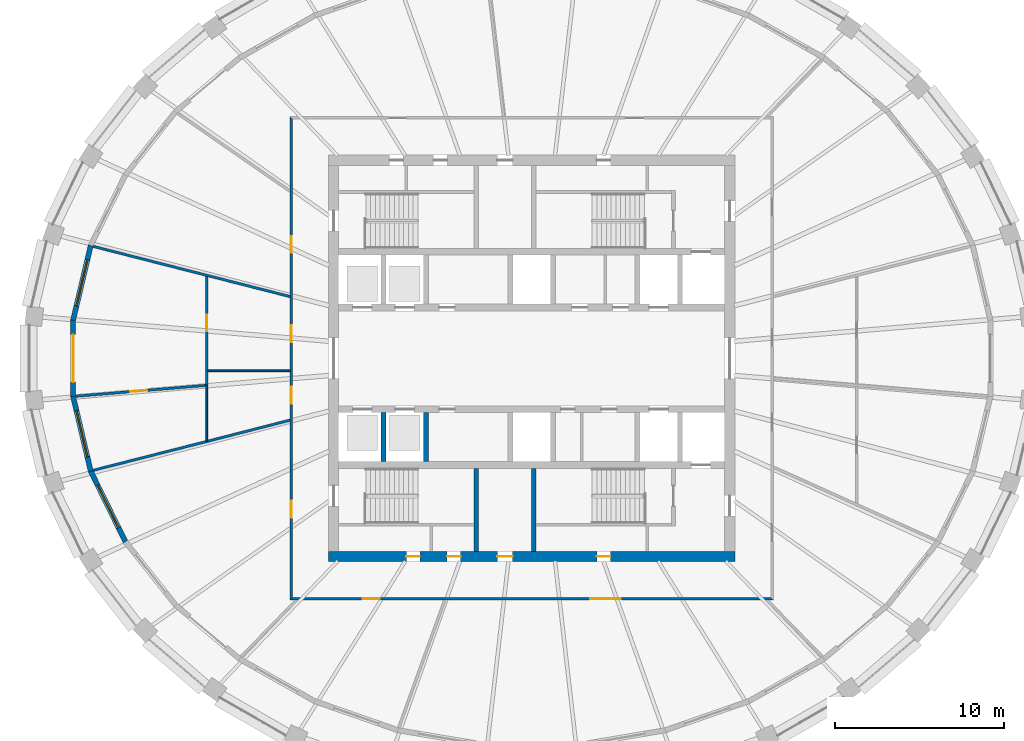
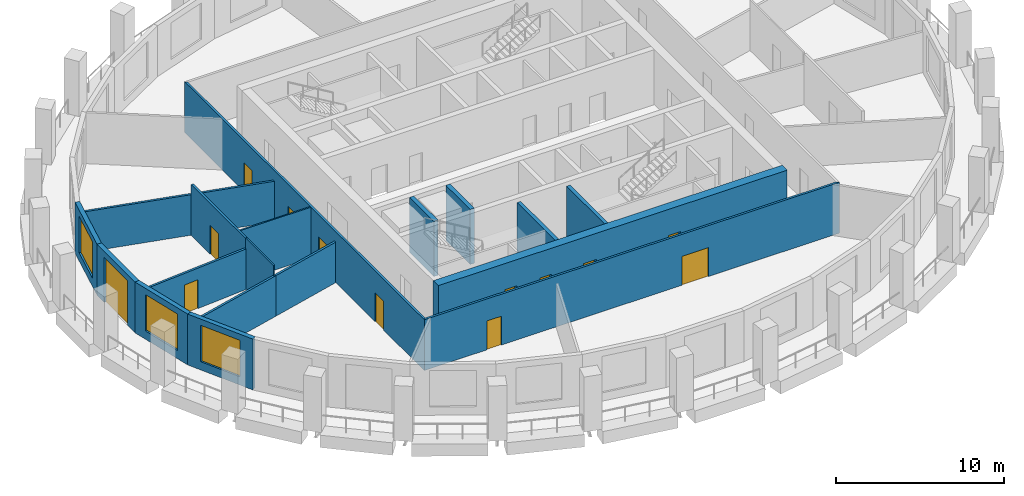
# One storey, part 3 of 10: 18 walls, 13 doors, 3 windows, 16 openings.
"""IFC4 building model written with IfcOpenShell, lengths in metres."""

from ifc_helpers import new_model, si_unit, direction, frame, frame_2d, origin, place, context, subcontext, project, spatial, polyline, rectangle, outline, extrude, material, layer, layer_set, type_object, element, fill, save


model = new_model("IFC4")

# Units and contexts
model_context = context("Model", 3, precision=1e-05, world=origin(), true_north=direction((0.0, 1.0)))
body_context = subcontext(model_context, "Body", "Model", "MODEL_VIEW")
ifc_project = project(units=[si_unit("LENGTHUNIT", "METRE"), si_unit("AREAUNIT", "SQUARE_METRE"), si_unit("VOLUMEUNIT", "CUBIC_METRE"), si_unit("PLANEANGLEUNIT", "RADIAN"), si_unit("MASSUNIT", "GRAM", prefix="KILO")], contexts=[model_context])

# Site, building, storey
site_placement = place(None, origin())
site = spatial("IfcSite", under=ifc_project, at=site_placement, CompositionType="ELEMENT")
building_placement = place(site_placement, origin())
building = spatial("IfcBuilding", under=site, at=building_placement, Name="Halqa Exchange Tower", CompositionType="ELEMENT")
storey_placement = place(building_placement, frame((0.0, 0.0, 276.300048828125)))
storey = spatial("IfcBuildingStorey", under=building, at=storey_placement, Name="L64", CompositionType="ELEMENT", Elevation=276.300048828125)

# Wall, opening, door
ifc_material_1 = material(Name="Gypsum board")
ifc_layer_1 = layer(ifc_material_1, 0.14990234375)
ifc_layer_set_1 = layer_set([ifc_layer_1], Name="Gypsum board")
wall_type_1 = type_object("IfcWallType", Name="Acoustic partition 150", PredefinedType="PARTITIONING", material=ifc_layer_set_1)
wall_1_placement = place(storey_placement, frame((-19.25634765625, -1.5947265625, 0.0), z_axis=(0.0, 0.0, 1.0), x_axis=(-0.996545321007, -0.083050726542, 0.0)))
wall_1 = element("IfcWall", 1, at=wall_1_placement, inside=storey, type_object=wall_type_1, Name="L64-PWL-005", PredefinedType="PARTITIONING", context=body_context, shape_type="SweptSolid", body=[
    extrude(outline(polyline([(7.701904296875, -0.074951171875), (7.701904296875, 0.043212890625), (7.697265625, 0.074951171875), (5.77294921875, 0.074951171875), (3.8486328125, 0.074951171875), (1.92431640625, 0.074951171875), (0.0, 0.074951171875), (0.0, -0.004638671875), (0.018310546875, -0.00634765625), (0.012451171875, -0.074951171875), (1.934814453125, -0.074951171875), (3.857177734375, -0.074951171875), (5.779541015625, -0.074951171875), (7.701904296875, -0.074951171875)])), origin(), (0.0, 0.0, 1.0), 2.947021484375),
])
opening_1_placement = place(wall_1_placement, frame((3.477294921875, 0.0, 0.0)))
opening_1 = element("IfcOpeningElement", 2, at=opening_1_placement, cuts=wall_1, Name="Opening 19-14", PredefinedType="OPENING", context=body_context, shape_type="SweptSolid", body=[
    extrude(rectangle(XDim=1.0, YDim=2.10009765625, at=frame_2d((0.5, 1.050048828125))), frame((0.0, 0.0869140625, 0.0), z_axis=(0.0, -1.0, 0.0), x_axis=(1.0, 0.0, 0.0)), (0.0, 0.0, 1.0), 0.173828125),
])
ifc_material_2 = material(Name="Timber door leaf", Category="wood")
door_type_1 = type_object("IfcDoorType", Name="Acoustic door 1000 x 2100", OperationType="SINGLE_SWING_LEFT", PredefinedType="DOOR", material=ifc_material_2)
door_1_placement = place(opening_1_placement, origin())
door_1 = element("IfcDoor", 3, at=door_1_placement, inside=storey, type_object=door_type_1, Name="L64-IDR-014", OperationType="SINGLE_SWING_LEFT", OverallHeight=2.10009765625, OverallWidth=1.0, PredefinedType="DOOR", context=body_context, shape_type="SweptSolid", body=[
    extrude(rectangle(XDim=1.0, YDim=2.10009765625, at=frame_2d((0.5, 1.050048828125))), frame((0.0, 0.02490234375, 0.0), z_axis=(0.0, -1.0, 0.0), x_axis=(1.0, 0.0, 0.0)), (0.0, 0.0, 1.0), 0.050048828125),
])
fill(opening_1, door_1)

wall_2_placement = place(storey_placement, frame((-19.199951171875, -1.590087890625, 0.0), z_axis=(0.0, 0.0, 1.0), x_axis=(0.0, 1.0, 0.0)))
wall_2 = element("IfcWall", 4, at=wall_2_placement, inside=storey, type_object=wall_type_1, Name="L64-PWL-006", PredefinedType="PARTITIONING", context=body_context, shape_type="SweptSolid", body=[
    extrude(outline(polyline([(0.0, -0.074951171875), (0.81005859375, -0.074951171875), (0.91015625, -0.074951171875), (2.739501953125, -0.074951171875), (4.569091796875, -0.074951171875), (6.398681640625, -0.074951171875), (6.4365234375, 0.07373046875), (6.4365234375, 0.074951171875), (4.8447265625, 0.074951171875), (3.252685546875, 0.074951171875), (1.660888671875, 0.074951171875), (0.069091796875, 0.074951171875), (0.070068359375, 0.0625), (0.0, 0.056640625), (0.0, 0.050048828125), (0.0, 0.050048828125), (0.0, -0.050048828125), (0.0, -0.050048828125), (0.0, -0.074951171875)])), origin(), (0.0, 0.0, 1.0), 3.699951171875),
])
opening_2_placement = place(wall_2_placement, frame((3.179931640625, 0.0, 0.0)))
opening_2 = element("IfcOpeningElement", 5, at=opening_2_placement, cuts=wall_2, Name="Opening 19-13", PredefinedType="OPENING", context=body_context, shape_type="SweptSolid", body=[
    extrude(rectangle(XDim=1.0, YDim=2.10009765625, at=frame_2d((0.5, 1.050048828125))), frame((0.0, 0.0869140625, 0.0), z_axis=(0.0, -1.0, 0.0), x_axis=(1.0, 0.0, 0.0)), (0.0, 0.0, 1.0), 0.173828125),
])
door_2_placement = place(opening_2_placement, frame((1.0, 0.0, 0.0), z_axis=(0.0, 0.0, 1.0), x_axis=(-1.0, 0.0, 0.0)))
door_2 = element("IfcDoor", 6, at=door_2_placement, inside=storey, type_object=door_type_1, Name="L64-IDR-013", OperationType="SINGLE_SWING_RIGHT", OverallHeight=2.10009765625, OverallWidth=1.0, PredefinedType="DOOR", context=body_context, shape_type="SweptSolid", body=[
    extrude(rectangle(XDim=1.0, YDim=2.10009765625, at=frame_2d((0.5, 1.050048828125))), frame((0.0, 0.02490234375, 0.0), z_axis=(0.0, -1.0, 0.0), x_axis=(1.0, 0.0, 0.0)), (0.0, 0.0, 1.0), 0.050048828125),
])
fill(opening_2, door_2)

# Walls
ifc_material_3 = material(Name="Fire-rated gypsum board")
ifc_layer_2 = layer(ifc_material_3, 0.14990234375)
ifc_layer_set_2 = layer_set([ifc_layer_2], Name="Fire-rated gypsum board")
wall_type_2 = type_object("IfcWallType", Name="Fire partition EI 60 150", PredefinedType="PARTITIONING", material=ifc_layer_set_2)
wall_3_placement = place(storey_placement, frame((-25.90234375, -6.6142578125, 0.0), z_axis=(0.0, 0.0, 1.0), x_axis=(0.969153959709, 0.246456086108, 0.0)))
element("IfcWall", 7, at=wall_3_placement, inside=storey, type_object=wall_type_2, Name="L64-PWL-001", PredefinedType="PARTITIONING", context=body_context, shape_type="SweptSolid", body=[
    extrude(outline(polyline([(0.01318359375, -0.074951171875), (1.75634765625, -0.074951171875), (3.49951171875, -0.074951171875), (5.24267578125, -0.074951171875), (6.98583984375, -0.074951171875), (6.985595703125, 0.07177734375), (6.966552734375, -0.002685546875), (6.86962890625, 0.02197265625), (6.883056640625, 0.074951171875), (5.162353515625, 0.074951171875), (3.441650390625, 0.074951171875), (1.720703125, 0.074951171875), (0.0, 0.074951171875), (0.0, -0.011962890625), (0.01318359375, -0.074951171875)])), origin(), (0.0, 0.0, 1.0), 2.947021484375),
])
wall_4_placement = place(storey_placement, frame((-25.90234375, 6.6142578125, 0.0), z_axis=(0.0, 0.0, 1.0), x_axis=(0.968990601513, -0.247097580277, 0.0)))
element("IfcWall", 8, at=wall_4_placement, inside=storey, type_object=wall_type_2, Name="L64-PWL-002", PredefinedType="PARTITIONING", context=body_context, shape_type="SweptSolid", body=[
    extrude(outline(polyline([(0.0, -0.074951171875), (1.751953125, -0.074951171875), (3.50390625, -0.074951171875), (5.255859375, -0.074951171875), (7.0078125, -0.074951171875), (7.012939453125, -0.07373046875), (7.013427734375, -0.074951171875), (8.681640625, -0.074951171875), (10.35009765625, -0.074951171875), (12.0185546875, -0.074951171875), (11.980224609375, 0.074951171875), (9.98583984375, 0.074951171875), (7.9912109375, 0.074951171875), (5.996826171875, 0.074951171875), (4.002197265625, 0.074951171875), (2.0078125, 0.074951171875), (0.01318359375, 0.074951171875), (0.0, 0.011962890625), (0.0, -0.074951171875)])), origin(), (0.0, 0.0, 1.0), 2.947021484375),
])
wall_5_placement = place(storey_placement, frame((-19.132080078125, -4.892578125, 0.0), z_axis=(0.0, 0.0, 1.0), x_axis=(0.968763144659, 0.247987841537, 0.0)))
element("IfcWall", 9, at=wall_5_placement, inside=storey, type_object=wall_type_2, Name="L64-PWL-003", PredefinedType="PARTITIONING", context=body_context, shape_type="SweptSolid", body=[
    extrude(outline(polyline([(0.0, -0.074951171875), (1.664794921875, -0.074951171875), (3.32958984375, -0.074951171875), (4.994384765625, -0.074951171875), (5.03271484375, 0.07421875), (5.03271484375, 0.074951171875), (3.35546875, 0.074951171875), (1.677978515625, 0.074951171875), (0.000732421875, 0.074951171875), (0.0, 0.072265625), (0.0, -0.074951171875)])), origin(), (0.0, 0.0, 1.0), 2.947021484375),
])

# Wall, openings, doors
wall_6_placement = place(storey_placement, frame((-14.199951171875, -14.27490234375, 0.0), z_axis=(0.0, 0.0, 1.0), x_axis=(0.0, 1.0, 0.0)))
wall_6 = element("IfcWall", 10, at=wall_6_placement, inside=storey, type_object=wall_type_2, Name="L64-PWL-008", PredefinedType="PARTITIONING", context=body_context, shape_type="SweptSolid", body=[
    extrude(outline(polyline([(0.14990234375, -0.074951171875), (2.033203125, -0.074951171875), (3.91650390625, -0.074951171875), (5.7998046875, -0.074951171875), (7.683349609375, -0.074951171875), (9.566650390625, -0.074951171875), (11.449951171875, -0.074951171875), (13.333251953125, -0.074951171875), (15.216552734375, -0.074951171875), (17.099853515625, -0.074951171875), (18.983154296875, -0.074951171875), (20.866455078125, -0.074951171875), (22.75, -0.074951171875), (24.63330078125, -0.074951171875), (26.5166015625, -0.074951171875), (28.39990234375, -0.074951171875), (28.5498046875, 0.074951171875), (28.5498046875, 0.074951171875), (26.646484375, 0.074951171875), (24.7431640625, 0.074951171875), (22.83984375, 0.074951171875), (20.9365234375, 0.074951171875), (19.033203125, 0.074951171875), (17.1298828125, 0.074951171875), (15.2265625, 0.074951171875), (13.3232421875, 0.074951171875), (11.419921875, 0.074951171875), (9.5166015625, 0.074951171875), (7.61328125, 0.074951171875), (5.7099609375, 0.074951171875), (3.806640625, 0.074951171875), (1.9033203125, 0.074951171875), (0.0, 0.074951171875), (0.14990234375, -0.074951171875)])), origin(), (0.0, 0.0, 1.0), 3.699951171875),
])
opening_3_placement = place(wall_6_placement, frame((20.5, 0.0, 0.0)))
opening_3 = element("IfcOpeningElement", 11, at=opening_3_placement, cuts=wall_6, Name="Opening 19-02", PredefinedType="OPENING", context=body_context, shape_type="SweptSolid", body=[
    extrude(rectangle(XDim=1.0, YDim=2.10009765625, at=frame_2d((0.5, 1.050048828125))), frame((0.0, 0.0869140625, 0.0), z_axis=(0.0, -1.0, 0.0), x_axis=(1.0, 0.0, 0.0)), (0.0, 0.0, 1.0), 0.173828125),
])
opening_4_placement = place(wall_6_placement, frame((11.594970703125, 0.0, 0.0)))
opening_4 = element("IfcOpeningElement", 12, at=opening_4_placement, cuts=wall_6, Name="Opening 19-03", PredefinedType="OPENING", context=body_context, shape_type="SweptSolid", body=[
    extrude(rectangle(XDim=1.0, YDim=2.10009765625, at=frame_2d((0.5, 1.050048828125))), frame((0.0, 0.0869140625, 0.0), z_axis=(0.0, -1.0, 0.0), x_axis=(1.0, 0.0, 0.0)), (0.0, 0.0, 1.0), 0.173828125),
])
opening_5_placement = place(wall_6_placement, frame((15.22509765625, 0.0, 0.0)))
opening_5 = element("IfcOpeningElement", 13, at=opening_5_placement, cuts=wall_6, Name="Opening 19-04", PredefinedType="OPENING", context=body_context, shape_type="SweptSolid", body=[
    extrude(rectangle(XDim=1.0, YDim=2.10009765625, at=frame_2d((0.5, 1.050048828125))), frame((0.0, 0.0869140625, 0.0), z_axis=(0.0, -1.0, 0.0), x_axis=(1.0, 0.0, 0.0)), (0.0, 0.0, 1.0), 0.173828125),
])
opening_6_placement = place(wall_6_placement, frame((4.860107421875, 0.0, 0.0)))
opening_6 = element("IfcOpeningElement", 14, at=opening_6_placement, cuts=wall_6, Name="Opening 19-05", PredefinedType="OPENING", context=body_context, shape_type="SweptSolid", body=[
    extrude(rectangle(XDim=1.0, YDim=2.10009765625, at=frame_2d((0.5, 1.050048828125))), frame((0.0, 0.0869140625, 0.0), z_axis=(0.0, -1.0, 0.0), x_axis=(1.0, 0.0, 0.0)), (0.0, 0.0, 1.0), 0.173828125),
])
ifc_material_4 = material(Name="Steel fire door leaf", Category="steel")
door_type_2 = type_object("IfcDoorType", Name="Fire door FD30S 1000 x 2100", OperationType="SINGLE_SWING_LEFT", PredefinedType="DOOR", material=ifc_material_4)
door_3_placement = place(opening_3_placement, origin())
door_3 = element("IfcDoor", 15, at=door_3_placement, inside=storey, type_object=door_type_2, Name="L64-IDR-002", OperationType="SINGLE_SWING_RIGHT", OverallHeight=2.10009765625, OverallWidth=1.0, PredefinedType="DOOR", context=body_context, shape_type="SweptSolid", body=[
    extrude(rectangle(XDim=1.0, YDim=2.10009765625, at=frame_2d((0.5, 1.050048828125))), frame((0.0, 0.02490234375, 0.0), z_axis=(0.0, -1.0, 0.0), x_axis=(1.0, 0.0, 0.0)), (0.0, 0.0, 1.0), 0.050048828125),
])
fill(opening_3, door_3)
door_4_placement = place(opening_4_placement, origin())
door_4 = element("IfcDoor", 16, at=door_4_placement, inside=storey, type_object=door_type_2, Name="L64-IDR-003", OperationType="SINGLE_SWING_RIGHT", OverallHeight=2.10009765625, OverallWidth=1.0, PredefinedType="DOOR", context=body_context, shape_type="SweptSolid", body=[
    extrude(rectangle(XDim=1.0, YDim=2.10009765625, at=frame_2d((0.5, 1.050048828125))), frame((0.0, 0.02490234375, 0.0), z_axis=(0.0, -1.0, 0.0), x_axis=(1.0, 0.0, 0.0)), (0.0, 0.0, 1.0), 0.050048828125),
])
fill(opening_4, door_4)
door_5_placement = place(opening_5_placement, origin())
door_5 = element("IfcDoor", 17, at=door_5_placement, inside=storey, type_object=door_type_2, Name="L64-IDR-004", OperationType="SINGLE_SWING_LEFT", OverallHeight=2.10009765625, OverallWidth=1.0, PredefinedType="DOOR", context=body_context, shape_type="SweptSolid", body=[
    extrude(rectangle(XDim=1.0, YDim=2.10009765625, at=frame_2d((0.5, 1.050048828125))), frame((0.0, 0.02490234375, 0.0), z_axis=(0.0, -1.0, 0.0), x_axis=(1.0, 0.0, 0.0)), (0.0, 0.0, 1.0), 0.050048828125),
])
fill(opening_5, door_5)
door_6_placement = place(opening_6_placement, origin())
door_6 = element("IfcDoor", 18, at=door_6_placement, inside=storey, type_object=door_type_2, Name="L64-IDR-005", OperationType="SINGLE_SWING_LEFT", OverallHeight=2.10009765625, OverallWidth=1.0, PredefinedType="DOOR", context=body_context, shape_type="SweptSolid", body=[
    extrude(rectangle(XDim=1.0, YDim=2.10009765625, at=frame_2d((0.5, 1.050048828125))), frame((0.0, 0.02490234375, 0.0), z_axis=(0.0, -1.0, 0.0), x_axis=(1.0, 0.0, 0.0)), (0.0, 0.0, 1.0), 0.050048828125),
])
fill(opening_6, door_6)

wall_7_placement = place(storey_placement, frame((-14.27490234375, -14.199951171875, 0.0), z_axis=(0.0, 0.0, 1.0), x_axis=(1.0, 0.0, 0.0)))
wall_7 = element("IfcWall", 19, at=wall_7_placement, inside=storey, type_object=wall_type_2, Name="L64-PWL-009", PredefinedType="PARTITIONING", context=body_context, shape_type="SweptSolid", body=[
    extrude(outline(polyline([(28.5498046875, -0.074951171875), (28.5498046875, -0.074951171875), (28.39990234375, 0.074951171875), (26.5166015625, 0.074951171875), (24.63330078125, 0.074951171875), (22.75, 0.074951171875), (20.866455078125, 0.074951171875), (18.983154296875, 0.074951171875), (17.099853515625, 0.074951171875), (15.216552734375, 0.074951171875), (13.333251953125, 0.074951171875), (11.449951171875, 0.074951171875), (9.566650390625, 0.074951171875), (7.683349609375, 0.074951171875), (5.7998046875, 0.074951171875), (3.91650390625, 0.074951171875), (2.033203125, 0.074951171875), (0.14990234375, 0.074951171875), (0.0, -0.074951171875), (1.9033203125, -0.074951171875), (3.806640625, -0.074951171875), (5.7099609375, -0.074951171875), (7.61328125, -0.074951171875), (9.5166015625, -0.074951171875), (11.419921875, -0.074951171875), (13.3232421875, -0.074951171875), (15.2265625, -0.074951171875), (17.1298828125, -0.074951171875), (19.033203125, -0.074951171875), (20.9365234375, -0.074951171875), (22.83984375, -0.074951171875), (24.7431640625, -0.074951171875), (26.646484375, -0.074951171875), (28.5498046875, -0.074951171875)])), origin(), (0.0, 0.0, 1.0), 3.699951171875),
])
opening_7_placement = place(wall_7_placement, frame((4.304931640625, 0.0, 0.0)))
opening_7 = element("IfcOpeningElement", 20, at=opening_7_placement, cuts=wall_7, Name="Opening 19-06", PredefinedType="OPENING", context=body_context, shape_type="SweptSolid", body=[
    extrude(rectangle(XDim=1.0, YDim=2.10009765625, at=frame_2d((0.5, 1.050048828125))), frame((0.0, 0.0869140625, 0.0), z_axis=(0.0, -1.0, 0.0), x_axis=(1.0, 0.0, 0.0)), (0.0, 0.0, 1.0), 0.173828125),
])
opening_8_placement = place(wall_7_placement, frame((17.735107421875, 0.0, 0.0)))
opening_8 = element("IfcOpeningElement", 21, at=opening_8_placement, cuts=wall_7, Name="Opening 19-07", PredefinedType="OPENING", context=body_context, shape_type="SweptSolid", body=[
    extrude(rectangle(XDim=1.800048828125, YDim=2.10009765625, at=frame_2d((0.89990234375, 1.050048828125))), frame((0.0, 0.0869140625, 0.0), z_axis=(0.0, -1.0, 0.0), x_axis=(1.0, 0.0, 0.0)), (0.0, 0.0, 1.0), 0.173828125),
])
door_7_placement = place(opening_7_placement, frame((1.0, 0.0, 0.0), z_axis=(0.0, 0.0, 1.0), x_axis=(-1.0, 0.0, 0.0)))
door_7 = element("IfcDoor", 22, at=door_7_placement, inside=storey, type_object=door_type_2, Name="L64-IDR-006", OperationType="SINGLE_SWING_RIGHT", OverallHeight=2.10009765625, OverallWidth=1.0, PredefinedType="DOOR", context=body_context, shape_type="SweptSolid", body=[
    extrude(rectangle(XDim=1.0, YDim=2.10009765625, at=frame_2d((0.5, 1.050048828125))), frame((0.0, 0.02490234375, 0.0), z_axis=(0.0, -1.0, 0.0), x_axis=(1.0, 0.0, 0.0)), (0.0, 0.0, 1.0), 0.050048828125),
])
fill(opening_7, door_7)
door_type_3 = type_object("IfcDoorType", Name="Fire door FD30S double 1800 x 2100", OperationType="DOUBLE_DOOR_SINGLE_SWING", PredefinedType="DOOR", material=ifc_material_4)
door_8_placement = place(opening_8_placement, frame((1.800048828125, 0.0, 0.0), z_axis=(0.0, 0.0, 1.0), x_axis=(-1.0, 0.0, 0.0)))
door_8 = element("IfcDoor", 23, at=door_8_placement, inside=storey, type_object=door_type_3, Name="L64-IDR-007", OperationType="DOUBLE_DOOR_SINGLE_SWING", OverallHeight=2.10009765625, OverallWidth=1.800048828125, PredefinedType="DOOR", context=body_context, shape_type="SweptSolid", body=[
    extrude(rectangle(XDim=1.800048828125, YDim=2.10009765625, at=frame_2d((0.89990234375, 1.050048828125))), frame((0.0, 0.02490234375, 0.0), z_axis=(0.0, -1.0, 0.0), x_axis=(1.0, 0.0, 0.0)), (0.0, 0.0, 1.0), 0.050048828125),
])
fill(opening_8, door_8)

# Walls
ifc_layer_3 = layer(ifc_material_1, 0.10009765625)
ifc_layer_set_3 = layer_set([ifc_layer_3], Name="Gypsum board")
wall_type_3 = type_object("IfcWallType", Name="Partition 100 gypsum", PredefinedType="PARTITIONING", material=ifc_layer_set_3)
wall_8_placement = place(storey_placement, frame((-19.199951171875, -4.89990234375, 0.0), z_axis=(0.0, 0.0, 1.0), x_axis=(0.0, 1.0, 0.0)))
element("IfcWall", 24, at=wall_8_placement, inside=storey, type_object=wall_type_3, Name="L64-PWL-004", PredefinedType="PARTITIONING", context=body_context, shape_type="SweptSolid", body=[
    extrude(rectangle(XDim=3.309814453125, YDim=0.10009765625, at=frame_2d((1.65478515625, 0.0))), origin(), (0.0, 0.0, 1.0), 3.699951171875),
])
wall_9_placement = place(storey_placement, frame((-19.125, -0.72998046875, 0.0), z_axis=(0.0, 0.0, 1.0), x_axis=(1.0, 0.0, 0.0)))
element("IfcWall", 25, at=wall_9_placement, inside=storey, type_object=wall_type_3, Name="L64-PWL-007", PredefinedType="PARTITIONING", context=body_context, shape_type="SweptSolid", body=[
    extrude(rectangle(XDim=4.85009765625, YDim=0.10009765625, at=frame_2d((2.425048828125, 0.0))), origin(), (0.0, 0.0, 1.0), 3.699951171875),
])
ifc_material_5 = material(Name="Concrete C60/75", Category="concrete")
ifc_layer_4 = layer(ifc_material_5, 0.300048828125)
ifc_layer_set_4 = layer_set([ifc_layer_4], Name="Concrete C60/75")
wall_type_4 = type_object("IfcWallType", Name="RC core wall 300", PredefinedType="SHEAR", material=ifc_layer_set_4)
for number, where, z_axis, x_axis, name in (
    (26, (-8.75, -6.10009765625, 0.0), (0.0, 0.0, 1.0), (0.0, 1.0, 0.0), "Shaft divider S1"),
    (27, (-6.25, -6.10009765625, 0.0), (0.0, 0.0, 1.0), (0.0, 1.0, 0.0), "Shaft divider S2"),
):
    element("IfcWall", number, at=place(storey_placement, frame(where, z_axis=z_axis, x_axis=x_axis)), inside=storey, type_object=wall_type_4, Name=name, PredefinedType="SHEAR", context=body_context, shape_type="SweptSolid", body=[
        extrude(rectangle(XDim=2.900146484375, YDim=0.300048828125, at=frame_2d((1.4501953125, 0.0))), origin(), (0.0, 0.0, 1.0), 4.0),
    ])

# Wall, openings, doors
ifc_layer_5 = layer(ifc_material_5, 0.60009765625)
ifc_layer_set_5 = layer_set([ifc_layer_5], Name="Concrete C60/75")
wall_type_5 = type_object("IfcWallType", Name="RC core wall 600 C60/75", PredefinedType="SHEAR", material=ifc_layer_set_5)
wall_10_placement = place(storey_placement, frame((-12.0, -11.699951171875, 0.0), z_axis=(0.0, 0.0, 1.0), x_axis=(1.0, 0.0, 0.0)))
wall_10 = element("IfcWall", 28, at=wall_10_placement, inside=storey, type_object=wall_type_5, Name="Core wall south", PredefinedType="SHEAR", context=body_context, shape_type="SweptSolid", body=[
    extrude(rectangle(XDim=24.0, YDim=0.60009765625, at=frame_2d((12.0, 0.0))), origin(), (0.0, 0.0, 1.0), 4.0),
])
opening_9_placement = place(wall_10_placement, frame((9.97509765625, 0.0, 0.0)))
opening_9 = element("IfcOpeningElement", 29, at=opening_9_placement, cuts=wall_10, Name="Opening T19-C21", PredefinedType="OPENING", context=body_context, shape_type="SweptSolid", body=[
    extrude(rectangle(XDim=0.89990234375, YDim=2.10009765625, at=frame_2d((0.449951171875, 1.050048828125))), frame((0.0, 0.31201171875, 0.0), z_axis=(0.0, -1.0, 0.0), x_axis=(1.0, 0.0, 0.0)), (0.0, 0.0, 1.0), 0.6240234375),
])
opening_10_placement = place(wall_10_placement, frame((4.60009765625, 0.0, 0.0)))
opening_10 = element("IfcOpeningElement", 30, at=opening_10_placement, cuts=wall_10, Name="Opening T19-C22", PredefinedType="OPENING", context=body_context, shape_type="SweptSolid", body=[
    extrude(rectangle(XDim=0.800048828125, YDim=2.10009765625, at=frame_2d((0.39990234375, 1.050048828125))), frame((0.0, 0.31201171875, 0.0), z_axis=(0.0, -1.0, 0.0), x_axis=(1.0, 0.0, 0.0)), (0.0, 0.0, 1.0), 0.6240234375),
])
opening_11_placement = place(wall_10_placement, frame((7.0, 0.0, 0.0)))
opening_11 = element("IfcOpeningElement", 31, at=opening_11_placement, cuts=wall_10, Name="Opening T19-C23", PredefinedType="OPENING", context=body_context, shape_type="SweptSolid", body=[
    extrude(rectangle(XDim=0.800048828125, YDim=2.10009765625, at=frame_2d((0.39990234375, 1.050048828125))), frame((0.0, 0.31201171875, 0.0), z_axis=(0.0, -1.0, 0.0), x_axis=(1.0, 0.0, 0.0)), (0.0, 0.0, 1.0), 0.6240234375),
])
opening_12_placement = place(wall_10_placement, frame((15.85009765625, 0.0, 0.0)))
opening_12 = element("IfcOpeningElement", 32, at=opening_12_placement, cuts=wall_10, Name="Opening T19-C24", PredefinedType="OPENING", context=body_context, shape_type="SweptSolid", body=[
    extrude(rectangle(XDim=0.800048828125, YDim=2.10009765625, at=frame_2d((0.39990234375, 1.050048828125))), frame((0.0, 0.31201171875, 0.0), z_axis=(0.0, -1.0, 0.0), x_axis=(1.0, 0.0, 0.0)), (0.0, 0.0, 1.0), 0.6240234375),
])
ifc_material_6 = material(Name="Timber fire door leaf", Category="wood")
door_type_4 = type_object("IfcDoorType", Name="Core room door FD30 900 x 2100", OperationType="SINGLE_SWING_LEFT", PredefinedType="DOOR", material=ifc_material_6)
door_9_placement = place(opening_9_placement, origin())
door_9 = element("IfcDoor", 33, at=door_9_placement, inside=storey, type_object=door_type_4, Name="Core room door", OperationType="SINGLE_SWING_RIGHT", OverallHeight=2.10009765625, OverallWidth=0.89990234375, PredefinedType="DOOR", context=body_context, shape_type="SweptSolid", body=[
    extrude(rectangle(XDim=0.89990234375, YDim=2.10009765625, at=frame_2d((0.449951171875, 1.050048828125))), frame((0.0, 0.02490234375, 0.0), z_axis=(0.0, -1.0, 0.0), x_axis=(1.0, 0.0, 0.0)), (0.0, 0.0, 1.0), 0.050048828125),
])
fill(opening_9, door_9)
door_type_5 = type_object("IfcDoorType", Name="Riser door FD60 800 x 2100", OperationType="SINGLE_SWING_LEFT", PredefinedType="DOOR", material=ifc_material_4)
door_10_placement = place(opening_10_placement, origin())
door_10 = element("IfcDoor", 34, at=door_10_placement, inside=storey, type_object=door_type_5, Name="Core room door", OperationType="SINGLE_SWING_LEFT", OverallHeight=2.10009765625, OverallWidth=0.800048828125, PredefinedType="DOOR", context=body_context, shape_type="SweptSolid", body=[
    extrude(rectangle(XDim=0.800048828125, YDim=2.10009765625, at=frame_2d((0.39990234375, 1.050048828125))), frame((0.0, 0.02490234375, 0.0), z_axis=(0.0, -1.0, 0.0), x_axis=(1.0, 0.0, 0.0)), (0.0, 0.0, 1.0), 0.050048828125),
])
fill(opening_10, door_10)
door_11_placement = place(opening_11_placement, origin())
door_11 = element("IfcDoor", 35, at=door_11_placement, inside=storey, type_object=door_type_5, Name="Core room door", OperationType="SINGLE_SWING_RIGHT", OverallHeight=2.10009765625, OverallWidth=0.800048828125, PredefinedType="DOOR", context=body_context, shape_type="SweptSolid", body=[
    extrude(rectangle(XDim=0.800048828125, YDim=2.10009765625, at=frame_2d((0.39990234375, 1.050048828125))), frame((0.0, 0.02490234375, 0.0), z_axis=(0.0, -1.0, 0.0), x_axis=(1.0, 0.0, 0.0)), (0.0, 0.0, 1.0), 0.050048828125),
])
fill(opening_11, door_11)
door_12_placement = place(opening_12_placement, origin())
door_12 = element("IfcDoor", 36, at=door_12_placement, inside=storey, type_object=door_type_5, Name="Core room door", OperationType="SINGLE_SWING_LEFT", OverallHeight=2.10009765625, OverallWidth=0.800048828125, PredefinedType="DOOR", context=body_context, shape_type="SweptSolid", body=[
    extrude(rectangle(XDim=0.800048828125, YDim=2.10009765625, at=frame_2d((0.39990234375, 1.050048828125))), frame((0.0, 0.02490234375, 0.0), z_axis=(0.0, -1.0, 0.0), x_axis=(1.0, 0.0, 0.0)), (0.0, 0.0, 1.0), 0.050048828125),
])
fill(opening_12, door_12)

# Walls
ifc_material_7 = material(Name="Concrete C30/37", Category="concrete")
ifc_layer_6 = layer(ifc_material_7, 0.25)
ifc_layer_set_6 = layer_set([ifc_layer_6], Name="Concrete C30/37")
wall_type_6 = type_object("IfcWallType", Name="RC stair wall 250 C30/37", PredefinedType="SHEAR", material=ifc_layer_set_6)
for number, where, z_axis, x_axis, name in (
    (37, (-3.27490234375, -11.39990234375, 0.0), (0.0, 0.0, 1.0), (0.0, 1.0, 0.0), "Stair ST1 east wall S"),
    (38, (0.125, -11.39990234375, 0.0), (0.0, 0.0, 1.0), (0.0, 1.0, 0.0), "Stair ST2 west wall S"),
):
    element("IfcWall", number, at=place(storey_placement, frame(where, z_axis=z_axis, x_axis=x_axis)), inside=storey, type_object=wall_type_6, Name=name, PredefinedType="SHEAR", context=body_context, shape_type="SweptSolid", body=[
        extrude(rectangle(XDim=4.89990234375, YDim=0.25, at=frame_2d((2.449951171875, 0.0))), origin(), (0.0, 0.0, 1.0), 3.699951171875),
    ])

# Wall, opening, window
ifc_material_8 = material(Name="Limestone cladding", Category="masonry")
ifc_layer_7 = layer(ifc_material_8, 0.0400390625)
ifc_material_9 = material(Name="Ventilated cavity")
ifc_layer_8 = layer(ifc_material_9, 0.030029296875, ventilated=True)
ifc_material_10 = material(Name="Mineral wool insulation")
ifc_layer_9 = layer(ifc_material_10, 0.10009765625)
ifc_layer_10 = layer(ifc_material_7, 0.10009765625)
ifc_material_11 = material(Name="Internal plaster")
ifc_layer_11 = layer(ifc_material_11, 0.030029296875)
ifc_layer_set_7 = layer_set([ifc_layer_7, ifc_layer_8, ifc_layer_9, ifc_layer_10, ifc_layer_11], Name="Stone-faced insulated wall 300")
wall_type_7 = type_object("IfcWallType", Name="Stone-faced insulated wall 300", PredefinedType="STANDARD", material=ifc_layer_set_7)
wall_11_placement = place(storey_placement, frame((-26.044921875, 6.669921875, 0.0), z_axis=(0.0, 0.0, 1.0), x_axis=(-0.22983372436, -0.973229910734, 0.0)))
wall_11 = element("IfcWall", 39, at=wall_11_placement, inside=storey, type_object=wall_type_7, Name="Glass-line wall 15", PredefinedType="STANDARD", context=body_context, shape_type="SweptSolid", body=[
    extrude(outline(polyline([(-0.016845703125, -0.14990234375), (4.556640625, -0.14990234375), (4.521484375, 0.14990234375), (0.016845703125, 0.14990234375), (-0.016845703125, -0.14990234375)])), origin(), (0.0, 0.0, 1.0), 3.699951171875),
])
opening_13_placement = place(wall_11_placement, frame((0.869384765625, 0.0, 0.60009765625)))
opening_13 = element("IfcOpeningElement", 40, at=opening_13_placement, cuts=wall_11, Name="Opening W-F4-15", PredefinedType="OPENING", context=body_context, shape_type="SweptSolid", body=[
    extrude(rectangle(XDim=2.800048828125, YDim=2.64990234375, at=frame_2d((1.39990234375, 1.324951171875))), frame((0.0, 0.162109375, 0.0), z_axis=(0.0, -1.0, 0.0), x_axis=(1.0, 0.0, 0.0)), (0.0, 0.0, 1.0), 0.323974609375),
])
ifc_material_12 = material(Name="Clear low-emissivity glass in aluminium frame", Category="aluminium")
window_type = type_object("IfcWindowType", Name="Fixed clear glazed window 2800 x 2650", PartitioningType="DOUBLE_PANEL_VERTICAL", PredefinedType="WINDOW", material=ifc_material_12)
window_1_placement = place(opening_13_placement, origin())
window_1 = element("IfcWindow", 41, at=window_1_placement, inside=storey, type_object=window_type, Name="Window 4", OverallHeight=2.64990234375, OverallWidth=2.800048828125, PartitioningType="DOUBLE_PANEL_VERTICAL", PredefinedType="WINDOW", context=body_context, shape_type="SweptSolid", body=[
    extrude(rectangle(XDim=2.800048828125, YDim=2.64990234375, at=frame_2d((1.39990234375, 1.324951171875))), frame((0.0, 0.030029296875, 0.0), z_axis=(0.0, -1.0, 0.0), x_axis=(1.0, 0.0, 0.0)), (0.0, 0.0, 1.0), 0.06005859375),
])
fill(opening_13, window_1)

# Wall, opening, door
wall_12_placement = place(storey_placement, frame((-27.088134765625, 2.25244140625, 0.0), z_axis=(0.0, 0.0, 1.0), x_axis=(0.0, -1.0, 0.0)))
wall_12 = element("IfcWall", 42, at=wall_12_placement, inside=storey, type_object=wall_type_7, Name="Glass-line wall 16", PredefinedType="STANDARD", context=body_context, shape_type="SweptSolid", body=[
    extrude(outline(polyline([(-0.017578125, -0.14990234375), (4.5224609375, -0.14990234375), (4.4873046875, 0.14990234375), (0.017578125, 0.14990234375), (-0.017578125, -0.14990234375)])), origin(), (0.0, 0.0, 1.0), 3.699951171875),
])
opening_14_placement = place(wall_12_placement, frame((0.852294921875, 0.0, 0.0)))
opening_14 = element("IfcOpeningElement", 43, at=opening_14_placement, cuts=wall_12, Name="Opening LG-F4-04", PredefinedType="OPENING", context=body_context, shape_type="SweptSolid", body=[
    extrude(rectangle(XDim=2.800048828125, YDim=3.25, at=frame_2d((1.39990234375, 1.625))), frame((0.0, 0.162109375, 0.0), z_axis=(0.0, -1.0, 0.0), x_axis=(1.0, 0.0, 0.0)), (0.0, 0.0, 1.0), 0.323974609375),
])
door_type_6 = type_object("IfcDoorType", Name="Glazed sliding loggia door 2800 x 3250", OperationType="DOUBLE_DOOR_SLIDING", PredefinedType="DOOR", material=ifc_material_12)
door_13_placement = place(opening_14_placement, origin())
door_13 = element("IfcDoor", 44, at=door_13_placement, inside=storey, type_object=door_type_6, Name="Loggia door 4", OperationType="DOUBLE_DOOR_SLIDING", OverallHeight=3.25, OverallWidth=2.800048828125, PredefinedType="DOOR", context=body_context, shape_type="SweptSolid", body=[
    extrude(rectangle(XDim=2.800048828125, YDim=3.25, at=frame_2d((1.39990234375, 1.625))), frame((0.0, 0.02490234375, 0.0), z_axis=(0.0, -1.0, 0.0), x_axis=(1.0, 0.0, 0.0)), (0.0, 0.0, 1.0), 0.050048828125),
])
fill(opening_14, door_13)

# Wall, opening, window
wall_13_placement = place(storey_placement, frame((-27.088134765625, -2.25244140625, 0.0), z_axis=(0.0, 0.0, 1.0), x_axis=(0.22983372436, -0.973229910734, 0.0)))
wall_13 = element("IfcWall", 45, at=wall_13_placement, inside=storey, type_object=wall_type_7, Name="Glass-line wall 17", PredefinedType="STANDARD", context=body_context, shape_type="SweptSolid", body=[
    extrude(outline(polyline([(-0.017578125, -0.14990234375), (4.555908203125, -0.14990234375), (4.522216796875, 0.14990234375), (0.017578125, 0.14990234375), (-0.017578125, -0.14990234375)])), origin(), (0.0, 0.0, 1.0), 3.699951171875),
])
opening_15_placement = place(wall_13_placement, frame((0.869384765625, 0.0, 0.60009765625)))
opening_15 = element("IfcOpeningElement", 46, at=opening_15_placement, cuts=wall_13, Name="Opening W-F4-17", PredefinedType="OPENING", context=body_context, shape_type="SweptSolid", body=[
    extrude(rectangle(XDim=2.800048828125, YDim=2.64990234375, at=frame_2d((1.39990234375, 1.324951171875))), frame((0.0, 0.162109375, 0.0), z_axis=(0.0, -1.0, 0.0), x_axis=(1.0, 0.0, 0.0)), (0.0, 0.0, 1.0), 0.323974609375),
])
window_2_placement = place(opening_15_placement, origin())
window_2 = element("IfcWindow", 47, at=window_2_placement, inside=storey, type_object=window_type, Name="Window 4", OverallHeight=2.64990234375, OverallWidth=2.800048828125, PartitioningType="DOUBLE_PANEL_VERTICAL", PredefinedType="WINDOW", context=body_context, shape_type="SweptSolid", body=[
    extrude(rectangle(XDim=2.800048828125, YDim=2.64990234375, at=frame_2d((1.39990234375, 1.324951171875))), frame((0.0, 0.030029296875, 0.0), z_axis=(0.0, -1.0, 0.0), x_axis=(1.0, 0.0, 0.0)), (0.0, 0.0, 1.0), 0.06005859375),
])
fill(opening_15, window_2)

wall_14_placement = place(storey_placement, frame((-26.044921875, -6.669921875, 0.0), z_axis=(0.0, 0.0, 1.0), x_axis=(0.441261940724, -0.897378348117, 0.0)))
wall_14 = element("IfcWall", 48, at=wall_14_placement, inside=storey, type_object=wall_type_7, Name="Glass-line wall 18", PredefinedType="STANDARD", context=body_context, shape_type="SweptSolid", body=[
    extrude(outline(polyline([(-0.016845703125, -0.14990234375), (4.65087890625, -0.14990234375), (4.61865234375, 0.14990234375), (0.016845703125, 0.14990234375), (-0.016845703125, -0.14990234375)])), origin(), (0.0, 0.0, 1.0), 3.699951171875),
])
opening_16_placement = place(wall_14_placement, frame((0.91748046875, 0.0, 0.60009765625)))
opening_16 = element("IfcOpeningElement", 49, at=opening_16_placement, cuts=wall_14, Name="Opening W-F4-18", PredefinedType="OPENING", context=body_context, shape_type="SweptSolid", body=[
    extrude(rectangle(XDim=2.800048828125, YDim=2.64990234375, at=frame_2d((1.39990234375, 1.324951171875))), frame((0.0, 0.162109375, 0.0), z_axis=(0.0, -1.0, 0.0), x_axis=(1.0, 0.0, 0.0)), (0.0, 0.0, 1.0), 0.323974609375),
])
window_3_placement = place(opening_16_placement, origin())
window_3 = element("IfcWindow", 50, at=window_3_placement, inside=storey, type_object=window_type, Name="Window 4", OverallHeight=2.64990234375, OverallWidth=2.800048828125, PartitioningType="DOUBLE_PANEL_VERTICAL", PredefinedType="WINDOW", context=body_context, shape_type="SweptSolid", body=[
    extrude(rectangle(XDim=2.800048828125, YDim=2.64990234375, at=frame_2d((1.39990234375, 1.324951171875))), frame((0.0, 0.030029296875, 0.0), z_axis=(0.0, -1.0, 0.0), x_axis=(1.0, 0.0, 0.0)), (0.0, 0.0, 1.0), 0.06005859375),
])
fill(opening_16, window_3)

save(model, "model.ifc")
